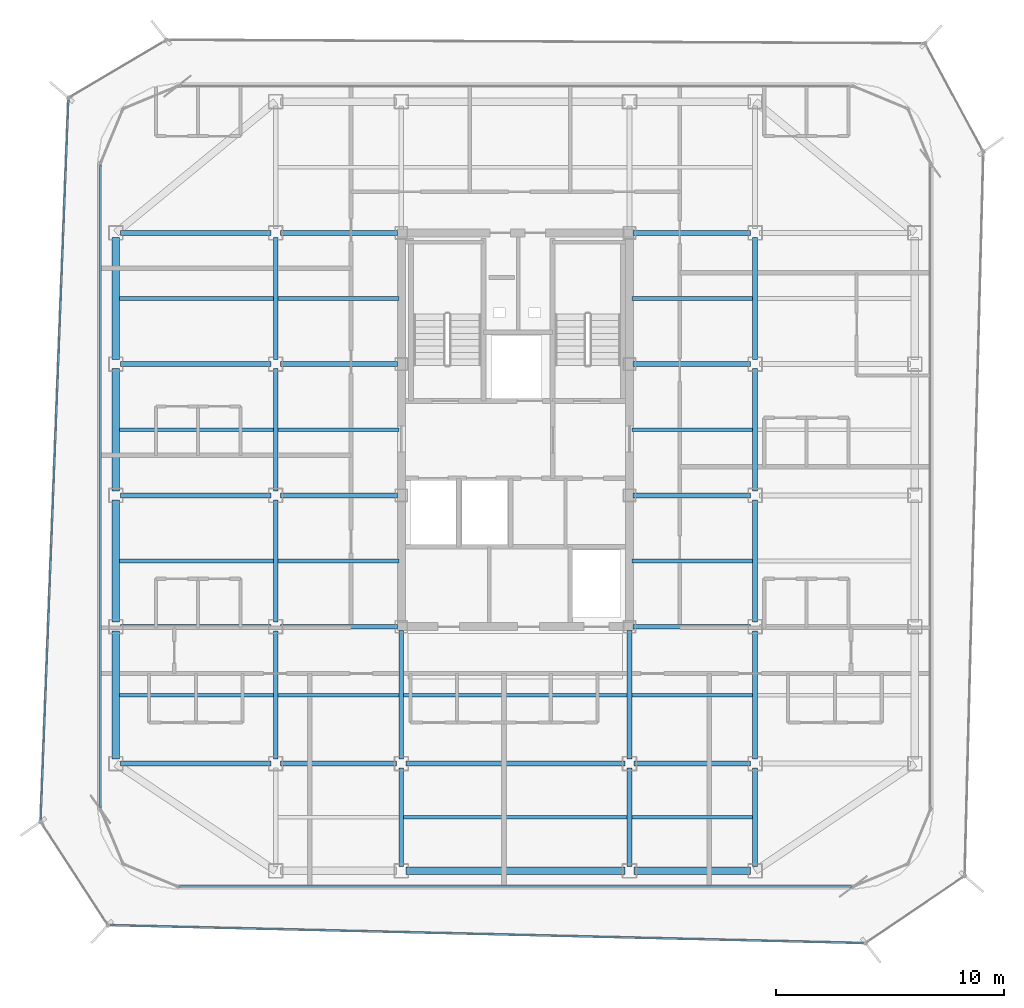
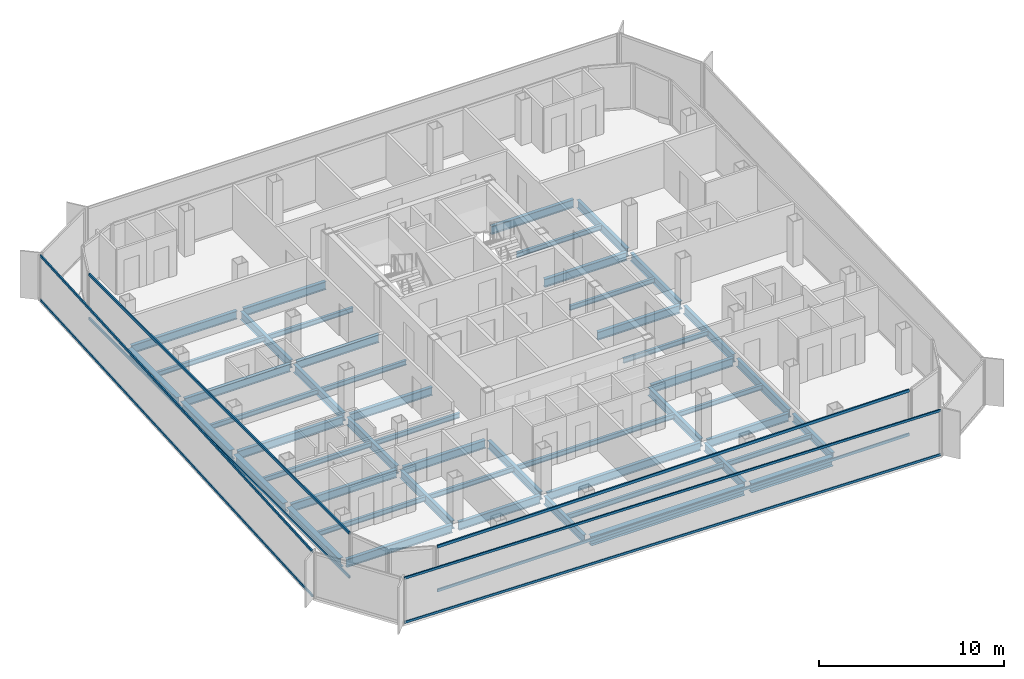
# One storey, part 3 of 16: 50 beams, 8 members, 4 elements without a shape of their own.
"""IFC4 building model written with IfcOpenShell, lengths in metres."""

from ifc_helpers import new_model, si_unit, direction, frame, origin, origin_2d, place, context, subcontext, project, spatial, hollow_rectangle, i_section, extrude, source, transform, mapped, material, layer, layer_set, material_profile, profile_set, type_object, element, aggregate, save


model = new_model("IFC4")

# Units and contexts
model_context = context("Model", 3, precision=1e-05, world=origin(), true_north=direction((0.0, 1.0)))
body_context = subcontext(model_context, "Body", "Model", "MODEL_VIEW")
ifc_project = project(units=[si_unit("LENGTHUNIT", "METRE"), si_unit("AREAUNIT", "SQUARE_METRE"), si_unit("VOLUMEUNIT", "CUBIC_METRE"), si_unit("PLANEANGLEUNIT", "RADIAN"), si_unit("MASSUNIT", "GRAM", prefix="KILO")], contexts=[model_context])

# Site, building, storey
site_placement = place(None, origin())
site = spatial("IfcSite", under=ifc_project, at=site_placement, CompositionType="ELEMENT")
building_placement = place(site_placement, origin())
building = spatial("IfcBuilding", under=site, at=building_placement, Name="Kolveth Station Tower", CompositionType="ELEMENT")
storey_placement = place(building_placement, frame((0.0, 0.0, 236.10009765625)))
storey = spatial("IfcBuildingStorey", under=building, at=storey_placement, Name="L67", CompositionType="ELEMENT", Elevation=236.10009765625)

# Beams
ifc_material_1 = material(Name="Steel S355", Category="steel")
ifc_material_profile_1 = material_profile(ifc_material_1, i_section(OverallWidth=0.323974609375, OverallDepth=0.611083984375, WebThickness=0.0126953125, FlangeThickness=0.01904296875, at=origin_2d()), Name="W610x155")
ifc_profile_set_1 = profile_set([ifc_material_profile_1], Name="Steel S355")
beam_type_1 = type_object("IfcBeamType", Name="Beam_SP2", PredefinedType="SPANDREL", material=ifc_profile_set_1)
shared_shape_1 = source(origin(), body_context, "Body", "SweptSolid", [
    extrude(i_section(OverallWidth=0.323974609375, OverallDepth=0.611083984375, WebThickness=0.0126953125, FlangeThickness=0.01904296875, at=origin_2d()), origin(), (0.0, 0.0, 1.0), 5.10009765625),
])
beam_1_placement = place(storey_placement, frame((28.699951171875, 0.800048828125, -0.525634765625), z_axis=(1.0, 0.0, 0.0), x_axis=(0.0, 1.0, 0.0)))
element("IfcBeam", 1, at=beam_1_placement, inside=storey, type_object=beam_type_1, Name="L67 Perimeter Spandrel BM-L67-PS-3", PredefinedType="SPANDREL", context=body_context, shape_type="MappedRepresentation", body=[
    mapped(shared_shape_1, transform((0.0, 0.0, 0.0), x_axis=(1.0, 0.0, 0.0), y_axis=(0.0, 1.0, 0.0), z_axis=(0.0, 0.0, 1.0), scale=1.0)),
])
shared_shape_2 = source(origin(), body_context, "Body", "SweptSolid", [
    extrude(i_section(OverallWidth=0.323974609375, OverallDepth=0.611083984375, WebThickness=0.0126953125, FlangeThickness=0.01904296875, at=origin_2d()), origin(), (0.0, 0.0, 1.0), 9.60009765625),
])
beam_2_placement = place(storey_placement, frame((18.699951171875, 0.800048828125, -0.525634765625), z_axis=(1.0, 0.0, 0.0), x_axis=(0.0, 1.0, 0.0)))
element("IfcBeam", 2, at=beam_2_placement, inside=storey, type_object=beam_type_1, Name="L67 Perimeter Spandrel BM-L67-PS-2", PredefinedType="SPANDREL", context=body_context, shape_type="MappedRepresentation", body=[
    mapped(shared_shape_2, transform((0.0, 0.0, 0.0), x_axis=(1.0, 0.0, 0.0), y_axis=(0.0, 1.0, 0.0), z_axis=(0.0, 0.0, 1.0), scale=1.0)),
])
shared_shape_3 = source(origin(), body_context, "Body", "SweptSolid", [
    extrude(i_section(OverallWidth=0.323974609375, OverallDepth=0.611083984375, WebThickness=0.0126953125, FlangeThickness=0.01904296875, at=origin_2d()), origin(), (0.0, 0.0, 1.0), 5.60009765625),
])
beam_3_placement = place(storey_placement, frame((6.0, 5.699951171875, -0.525634765625), z_axis=(0.0, 1.0, 0.0), x_axis=(-1.0, 0.0, 0.0)))
element("IfcBeam", 3, at=beam_3_placement, inside=storey, type_object=beam_type_1, Name="L67 Perimeter Spandrel BM-L67-PW-1", PredefinedType="SPANDREL", context=body_context, shape_type="MappedRepresentation", body=[
    mapped(shared_shape_3, transform((0.0, 0.0, 0.0), x_axis=(1.0, 0.0, 0.0), y_axis=(0.0, 1.0, 0.0), z_axis=(0.0, 0.0, 1.0), scale=1.0)),
])
shared_shape_4 = source(origin(), body_context, "Body", "SweptSolid", [
    extrude(i_section(OverallWidth=0.323974609375, OverallDepth=0.611083984375, WebThickness=0.0126953125, FlangeThickness=0.01904296875, at=origin_2d()), origin(), (0.0, 0.0, 1.0), 5.35009765625),
])
for number, where, z_axis, x_axis, name in (
    (4, (6.0, 11.699951171875, -0.525634765625), (0.0, 1.0, 0.0), (-1.0, 0.0, 0.0), "L67 Perimeter Spandrel BM-L67-PW-2"),
    (5, (6.0, 17.449951171875, -0.525634765625), (0.0, 1.0, 0.0), (-1.0, 0.0, 0.0), "L67 Perimeter Spandrel BM-L67-PW-3"),
    (6, (6.0, 23.199951171875, -0.525634765625), (0.0, 1.0, 0.0), (-1.0, 0.0, 0.0), "L67 Perimeter Spandrel BM-L67-PW-4"),
):
    element("IfcBeam", number, at=place(storey_placement, frame(where, z_axis=z_axis, x_axis=x_axis)), inside=storey, type_object=beam_type_1, Name=name, PredefinedType="SPANDREL", context=body_context, shape_type="MappedRepresentation", body=[
        mapped(shared_shape_4, transform((0.0, 0.0, 0.0), x_axis=(1.0, 0.0, 0.0), y_axis=(0.0, 1.0, 0.0), z_axis=(0.0, 0.0, 1.0), scale=1.0)),
    ])
ifc_material_profile_2 = material_profile(ifc_material_1, i_section(OverallWidth=0.2099609375, OverallDepth=0.537109375, WebThickness=0.010986328125, FlangeThickness=0.017333984375, at=origin_2d()), Name="W530x101")
ifc_profile_set_2 = profile_set([ifc_material_profile_2], Name="Steel S355")
beam_type_2 = type_object("IfcBeamType", Name="Beam_B6", PredefinedType="BEAM", material=ifc_profile_set_2)
shared_shape_5 = source(origin(), body_context, "Body", "SweptSolid", [
    extrude(i_section(OverallWidth=0.2099609375, OverallDepth=0.537109375, WebThickness=0.010986328125, FlangeThickness=0.017333984375, at=origin_2d()), origin(), (0.0, 0.0, 1.0), 6.60009765625),
])
for number, where, z_axis, x_axis, name in (
    (7, (6.199951171875, 5.5, -0.488525390625), (1.0, 0.0, 0.0), (0.0, 1.0, 0.0), "L67 Primary Girder BM-L67-GY55-1"),
    (8, (6.199951171875, 11.5, -0.488525390625), (1.0, 0.0, 0.0), (0.0, 1.0, 0.0), "L67 Primary Girder BM-L67-GY115-1"),
    (9, (6.199951171875, 17.25, -0.488525390625), (1.0, 0.0, 0.0), (0.0, 1.0, 0.0), "L67 Primary Girder BM-L67-GY172-1"),
    (10, (6.199951171875, 23.0, -0.488525390625), (1.0, 0.0, 0.0), (0.0, 1.0, 0.0), "L67 Primary Girder BM-L67-GY230-1"),
    (11, (6.199951171875, 28.75, -0.488525390625), (1.0, 0.0, 0.0), (0.0, 1.0, 0.0), "L67 Primary Girder BM-L67-GY287-1"),
):
    element("IfcBeam", number, at=place(storey_placement, frame(where, z_axis=z_axis, x_axis=x_axis)), inside=storey, type_object=beam_type_2, Name=name, PredefinedType="BEAM", context=body_context, shape_type="MappedRepresentation", body=[
        mapped(shared_shape_5, transform((0.0, 0.0, 0.0), x_axis=(1.0, 0.0, 0.0), y_axis=(0.0, 1.0, 0.0), z_axis=(0.0, 0.0, 1.0), scale=1.0)),
    ])
shared_shape_6 = source(origin(), body_context, "Body", "SweptSolid", [
    extrude(i_section(OverallWidth=0.2099609375, OverallDepth=0.537109375, WebThickness=0.010986328125, FlangeThickness=0.017333984375, at=origin_2d()), origin(), (0.0, 0.0, 1.0), 5.10009765625),
])
for number, where, z_axis, x_axis, name in (
    (12, (13.199951171875, 5.5, -0.488525390625), (1.0, 0.0, 0.0), (0.0, 1.0, 0.0), "L67 Primary Girder BM-L67-GY55-2"),
    (13, (28.699951171875, 5.5, -0.488525390625), (1.0, 0.0, 0.0), (0.0, 1.0, 0.0), "L67 Primary Girder BM-L67-GY55-4"),
):
    element("IfcBeam", number, at=place(storey_placement, frame(where, z_axis=z_axis, x_axis=x_axis)), inside=storey, type_object=beam_type_2, Name=name, PredefinedType="BEAM", context=body_context, shape_type="MappedRepresentation", body=[
        mapped(shared_shape_6, transform((0.0, 0.0, 0.0), x_axis=(1.0, 0.0, 0.0), y_axis=(0.0, 1.0, 0.0), z_axis=(0.0, 0.0, 1.0), scale=1.0)),
    ])
shared_shape_7 = source(origin(), body_context, "Body", "SweptSolid", [
    extrude(i_section(OverallWidth=0.2099609375, OverallDepth=0.537109375, WebThickness=0.010986328125, FlangeThickness=0.017333984375, at=origin_2d()), origin(), (0.0, 0.0, 1.0), 9.60009765625),
])
beam_4_placement = place(storey_placement, frame((18.699951171875, 5.5, -0.488525390625), z_axis=(1.0, 0.0, 0.0), x_axis=(0.0, 1.0, 0.0)))
element("IfcBeam", 14, at=beam_4_placement, inside=storey, type_object=beam_type_2, Name="L67 Primary Girder BM-L67-GY55-3", PredefinedType="BEAM", context=body_context, shape_type="MappedRepresentation", body=[
    mapped(shared_shape_7, transform((0.0, 0.0, 0.0), x_axis=(1.0, 0.0, 0.0), y_axis=(0.0, 1.0, 0.0), z_axis=(0.0, 0.0, 1.0), scale=1.0)),
])
shared_shape_8 = source(origin(), body_context, "Body", "SweptSolid", [
    extrude(i_section(OverallWidth=0.2099609375, OverallDepth=0.537109375, WebThickness=0.010986328125, FlangeThickness=0.017333984375, at=origin_2d()), origin(), (0.0, 0.0, 1.0), 5.14013671875),
])
for number, where, z_axis, x_axis, name in (
    (15, (13.199951171875, 11.5, -0.488525390625), (1.0, 0.0, 0.0), (0.0, 1.0, 0.0), "L67 Primary Girder BM-L67-GY115-2"),
    (16, (28.659912109375, 11.5, -0.488525390625), (1.0, 0.0, 0.0), (0.0, 1.0, 0.0), "L67 Primary Girder BM-L67-GY115-4"),
    (17, (13.199951171875, 17.25, -0.488525390625), (1.0, 0.0, 0.0), (0.0, 1.0, 0.0), "L67 Primary Girder BM-L67-GY172-2"),
    (18, (28.659912109375, 17.25, -0.488525390625), (1.0, 0.0, 0.0), (0.0, 1.0, 0.0), "L67 Primary Girder BM-L67-GY172-4"),
    (19, (13.199951171875, 23.0, -0.488525390625), (1.0, 0.0, 0.0), (0.0, 1.0, 0.0), "L67 Primary Girder BM-L67-GY230-2"),
    (20, (28.659912109375, 23.0, -0.488525390625), (1.0, 0.0, 0.0), (0.0, 1.0, 0.0), "L67 Primary Girder BM-L67-GY230-4"),
    (21, (13.199951171875, 28.75, -0.488525390625), (1.0, 0.0, 0.0), (0.0, 1.0, 0.0), "L67 Primary Girder BM-L67-GY287-2"),
    (22, (28.659912109375, 28.75, -0.488525390625), (1.0, 0.0, 0.0), (0.0, 1.0, 0.0), "L67 Primary Girder BM-L67-GY287-4"),
):
    element("IfcBeam", number, at=place(storey_placement, frame(where, z_axis=z_axis, x_axis=x_axis)), inside=storey, type_object=beam_type_2, Name=name, PredefinedType="BEAM", context=body_context, shape_type="MappedRepresentation", body=[
        mapped(shared_shape_8, transform((0.0, 0.0, 0.0), x_axis=(1.0, 0.0, 0.0), y_axis=(0.0, 1.0, 0.0), z_axis=(0.0, 0.0, 1.0), scale=1.0)),
    ])
shared_shape_9 = source(origin(), body_context, "Body", "SweptSolid", [
    extrude(i_section(OverallWidth=0.2099609375, OverallDepth=0.537109375, WebThickness=0.010986328125, FlangeThickness=0.017333984375, at=origin_2d()), origin(), (0.0, 0.0, 1.0), 4.300048828125),
])
for number, where, z_axis, x_axis, name in (
    (23, (18.5, 1.0, -0.488525390625), (0.0, 1.0, 0.0), (-1.0, 0.0, 0.0), "L67 Primary Girder BM-L67-GX185-1"),
    (24, (28.5, 1.0, -0.488525390625), (0.0, 1.0, 0.0), (-1.0, 0.0, 0.0), "L67 Primary Girder BM-L67-GX285-1"),
    (25, (34.0, 1.0, -0.488525390625), (0.0, 1.0, 0.0), (-1.0, 0.0, 0.0), "L67 Primary Girder BM-L67-GX340-1"),
):
    element("IfcBeam", number, at=place(storey_placement, frame(where, z_axis=z_axis, x_axis=x_axis)), inside=storey, type_object=beam_type_2, Name=name, PredefinedType="BEAM", context=body_context, shape_type="MappedRepresentation", body=[
        mapped(shared_shape_9, transform((0.0, 0.0, 0.0), x_axis=(1.0, 0.0, 0.0), y_axis=(0.0, 1.0, 0.0), z_axis=(0.0, 0.0, 1.0), scale=1.0)),
    ])
shared_shape_10 = source(origin(), body_context, "Body", "SweptSolid", [
    extrude(i_section(OverallWidth=0.2099609375, OverallDepth=0.537109375, WebThickness=0.010986328125, FlangeThickness=0.017333984375, at=origin_2d()), origin(), (0.0, 0.0, 1.0), 5.60009765625),
])
for number, where, z_axis, x_axis, name in (
    (26, (13.0, 5.699951171875, -0.488525390625), (0.0, 1.0, 0.0), (-1.0, 0.0, 0.0), "L67 Primary Girder BM-L67-GX130-2"),
    (27, (34.0, 5.699951171875, -0.488525390625), (0.0, 1.0, 0.0), (-1.0, 0.0, 0.0), "L67 Primary Girder BM-L67-GX340-2"),
):
    element("IfcBeam", number, at=place(storey_placement, frame(where, z_axis=z_axis, x_axis=x_axis)), inside=storey, type_object=beam_type_2, Name=name, PredefinedType="BEAM", context=body_context, shape_type="MappedRepresentation", body=[
        mapped(shared_shape_10, transform((0.0, 0.0, 0.0), x_axis=(1.0, 0.0, 0.0), y_axis=(0.0, 1.0, 0.0), z_axis=(0.0, 0.0, 1.0), scale=1.0)),
    ])
shared_shape_11 = source(origin(), body_context, "Body", "SweptSolid", [
    extrude(i_section(OverallWidth=0.2099609375, OverallDepth=0.537109375, WebThickness=0.010986328125, FlangeThickness=0.017333984375, at=origin_2d()), origin(), (0.0, 0.0, 1.0), 5.35009765625),
])
for number, where, z_axis, x_axis, name in (
    (28, (13.0, 11.699951171875, -0.488525390625), (0.0, 1.0, 0.0), (-1.0, 0.0, 0.0), "L67 Primary Girder BM-L67-GX130-3"),
    (29, (13.0, 17.449951171875, -0.488525390625), (0.0, 1.0, 0.0), (-1.0, 0.0, 0.0), "L67 Primary Girder BM-L67-GX130-4"),
    (30, (13.0, 23.199951171875, -0.488525390625), (0.0, 1.0, 0.0), (-1.0, 0.0, 0.0), "L67 Primary Girder BM-L67-GX130-5"),
    (31, (34.0, 11.699951171875, -0.488525390625), (0.0, 1.0, 0.0), (-1.0, 0.0, 0.0), "L67 Primary Girder BM-L67-GX340-3"),
    (32, (34.0, 17.449951171875, -0.488525390625), (0.0, 1.0, 0.0), (-1.0, 0.0, 0.0), "L67 Primary Girder BM-L67-GX340-4"),
    (33, (34.0, 23.199951171875, -0.488525390625), (0.0, 1.0, 0.0), (-1.0, 0.0, 0.0), "L67 Primary Girder BM-L67-GX340-5"),
):
    element("IfcBeam", number, at=place(storey_placement, frame(where, z_axis=z_axis, x_axis=x_axis)), inside=storey, type_object=beam_type_2, Name=name, PredefinedType="BEAM", context=body_context, shape_type="MappedRepresentation", body=[
        mapped(shared_shape_11, transform((0.0, 0.0, 0.0), x_axis=(1.0, 0.0, 0.0), y_axis=(0.0, 1.0, 0.0), z_axis=(0.0, 0.0, 1.0), scale=1.0)),
    ])
shared_shape_12 = source(origin(), body_context, "Body", "SweptSolid", [
    extrude(i_section(OverallWidth=0.2099609375, OverallDepth=0.537109375, WebThickness=0.010986328125, FlangeThickness=0.017333984375, at=origin_2d()), origin(), (0.0, 0.0, 1.0), 5.64013671875),
])
for number, where, z_axis, x_axis, name in (
    (34, (18.5, 5.699951171875, -0.488525390625), (0.0, 1.0, 0.0), (-1.0, 0.0, 0.0), "L67 Primary Girder BM-L67-GX185-2"),
    (35, (28.5, 5.699951171875, -0.488525390625), (0.0, 1.0, 0.0), (-1.0, 0.0, 0.0), "L67 Primary Girder BM-L67-GX285-2"),
):
    element("IfcBeam", number, at=place(storey_placement, frame(where, z_axis=z_axis, x_axis=x_axis)), inside=storey, type_object=beam_type_2, Name=name, PredefinedType="BEAM", context=body_context, shape_type="MappedRepresentation", body=[
        mapped(shared_shape_12, transform((0.0, 0.0, 0.0), x_axis=(1.0, 0.0, 0.0), y_axis=(0.0, 1.0, 0.0), z_axis=(0.0, 0.0, 1.0), scale=1.0)),
    ])
ifc_material_profile_3 = material_profile(ifc_material_1, i_section(OverallWidth=0.1650390625, OverallDepth=0.31005859375, WebThickness=0.005859375, FlangeThickness=0.009765625, at=origin_2d()), Name="W310x39")
ifc_profile_set_3 = profile_set([ifc_material_profile_3], Name="Steel S355")
beam_type_3 = type_object("IfcBeamType", Name="Beam_J3", PredefinedType="JOIST", material=ifc_profile_set_3)
shared_shape_13 = source(origin(), body_context, "Body", "SweptSolid", [
    extrude(i_section(OverallWidth=0.1650390625, OverallDepth=0.31005859375, WebThickness=0.005859375, FlangeThickness=0.009765625, at=origin_2d()), origin(), (0.0, 0.0, 1.0), 6.737060546875),
])
for number, where, z_axis, x_axis, name in (
    (36, (6.159912109375, 8.5, -0.375), (1.0, 0.0, 0.0), (0.0, 1.0, 0.0), "L67 Secondary Joist JST-L67-1-2"),
    (37, (6.159912109375, 14.375, -0.375), (1.0, 0.0, 0.0), (0.0, 1.0, 0.0), "L67 Secondary Joist JST-L67-1-3"),
    (38, (6.159912109375, 20.125, -0.375), (1.0, 0.0, 0.0), (0.0, 1.0, 0.0), "L67 Secondary Joist JST-L67-1-4"),
    (39, (6.159912109375, 25.875, -0.375), (1.0, 0.0, 0.0), (0.0, 1.0, 0.0), "L67 Secondary Joist JST-L67-1-5"),
):
    element("IfcBeam", number, at=place(storey_placement, frame(where, z_axis=z_axis, x_axis=x_axis)), inside=storey, type_object=beam_type_3, Name=name, PredefinedType="JOIST", context=body_context, shape_type="MappedRepresentation", body=[
        mapped(shared_shape_13, transform((0.0, 0.0, 0.0), x_axis=(1.0, 0.0, 0.0), y_axis=(0.0, 1.0, 0.0), z_axis=(0.0, 0.0, 1.0), scale=1.0)),
    ])
shared_shape_14 = source(origin(), body_context, "Body", "SweptSolid", [
    extrude(i_section(OverallWidth=0.1650390625, OverallDepth=0.31005859375, WebThickness=0.005859375, FlangeThickness=0.009765625, at=origin_2d()), origin(), (0.0, 0.0, 1.0), 5.2939453125),
])
for number, where, z_axis, x_axis, name in (
    (40, (13.10302734375, 8.5, -0.375), (1.0, 0.0, 0.0), (0.0, 1.0, 0.0), "L67 Secondary Joist JST-L67-2-2"),
    (41, (13.10302734375, 14.375, -0.375), (1.0, 0.0, 0.0), (0.0, 1.0, 0.0), "L67 Secondary Joist JST-L67-2-3"),
    (42, (13.10302734375, 20.125, -0.375), (1.0, 0.0, 0.0), (0.0, 1.0, 0.0), "L67 Secondary Joist JST-L67-2-4"),
    (43, (13.10302734375, 25.875, -0.375), (1.0, 0.0, 0.0), (0.0, 1.0, 0.0), "L67 Secondary Joist JST-L67-2-5"),
    (44, (28.60302734375, 3.14990234375, -0.375), (1.0, 0.0, 0.0), (0.0, 1.0, 0.0), "L67 Secondary Joist JST-L67-4-1"),
    (45, (28.60302734375, 8.5, -0.375), (1.0, 0.0, 0.0), (0.0, 1.0, 0.0), "L67 Secondary Joist JST-L67-4-2"),
    (46, (28.60302734375, 14.375, -0.375), (1.0, 0.0, 0.0), (0.0, 1.0, 0.0), "L67 Secondary Joist JST-L67-4-3"),
    (47, (28.60302734375, 20.125, -0.375), (1.0, 0.0, 0.0), (0.0, 1.0, 0.0), "L67 Secondary Joist JST-L67-4-4"),
    (48, (28.60302734375, 25.875, -0.375), (1.0, 0.0, 0.0), (0.0, 1.0, 0.0), "L67 Secondary Joist JST-L67-4-5"),
):
    element("IfcBeam", number, at=place(storey_placement, frame(where, z_axis=z_axis, x_axis=x_axis)), inside=storey, type_object=beam_type_3, Name=name, PredefinedType="JOIST", context=body_context, shape_type="MappedRepresentation", body=[
        mapped(shared_shape_14, transform((0.0, 0.0, 0.0), x_axis=(1.0, 0.0, 0.0), y_axis=(0.0, 1.0, 0.0), z_axis=(0.0, 0.0, 1.0), scale=1.0)),
    ])
shared_shape_15 = source(origin(), body_context, "Body", "SweptSolid", [
    extrude(i_section(OverallWidth=0.1650390625, OverallDepth=0.31005859375, WebThickness=0.005859375, FlangeThickness=0.009765625, at=origin_2d()), origin(), (0.0, 0.0, 1.0), 9.7939453125),
])
for number, where, z_axis, x_axis, name in (
    (49, (18.60302734375, 3.14990234375, -0.375), (1.0, 0.0, 0.0), (0.0, 1.0, 0.0), "L67 Secondary Joist JST-L67-3-1"),
    (50, (18.60302734375, 8.5, -0.375), (1.0, 0.0, 0.0), (0.0, 1.0, 0.0), "L67 Secondary Joist JST-L67-3-2"),
):
    element("IfcBeam", number, at=place(storey_placement, frame(where, z_axis=z_axis, x_axis=x_axis)), inside=storey, type_object=beam_type_3, Name=name, PredefinedType="JOIST", context=body_context, shape_type="MappedRepresentation", body=[
        mapped(shared_shape_15, transform((0.0, 0.0, 0.0), x_axis=(1.0, 0.0, 0.0), y_axis=(0.0, 1.0, 0.0), z_axis=(0.0, 0.0, 1.0), scale=1.0)),
    ])

# Curtain wall, members
ifc_material_2 = material(Name="Aluminium 6063-T6 and triple low-E dark glass", Category="aluminium")
ifc_layer_1 = layer(ifc_material_2, 0.199951171875)
ifc_layer_set_1 = layer_set([ifc_layer_1], Name="Aluminium 6063-T6 and triple low-E dark glass")
curtain_wall_type_1 = type_object("IfcCurtainWallType", Name="CurtainWall_CW-Z3", PredefinedType="NOTDEFINED", material=ifc_layer_set_1)
curtain_wall_1_placement = place(storey_placement, origin())
curtain_wall_1 = element("IfcCurtainWall", 51, at=curtain_wall_1_placement, inside=storey, type_object=curtain_wall_type_1, Name="L67 Inner Thermal Curtain Wall 9", PredefinedType="NOTDEFINED")
ifc_material_3 = material(Name="Black anodized aluminium 6063-T6", Category="aluminium")
ifc_material_profile_4 = material_profile(ifc_material_3, hollow_rectangle(XDim=0.0849609375, YDim=0.179931640625, WallThickness=0.0048828125, at=origin_2d()), Name="ALU-85x180x5")
ifc_profile_set_4 = profile_set([ifc_material_profile_4], Name="Black anodized aluminium 6063-T6")
member_type_1 = type_object("IfcMemberType", Name="Transom_TR3", PredefinedType="USERDEFINED", material=ifc_profile_set_4)
shared_shape_16 = source(origin(), body_context, "Body", "SweptSolid", [
    extrude(hollow_rectangle(XDim=0.0849609375, YDim=0.179931640625, WallThickness=0.0048828125, at=origin_2d()), origin(), (0.0, 0.0, 1.0), 28.130126953125),
])
member_1_placement = place(storey_placement, frame((5.320068359375, 31.715087890625, 0.04248046875), z_axis=(0.0, -1.0, 0.0), x_axis=(1.0, 0.0, 0.0)))
member_1 = element("IfcMember", 52, at=member_1_placement, type_object=member_type_1, Name="CW-Z3 transom 1.1", ObjectType="TRANSOM", PredefinedType="USERDEFINED", context=body_context, shape_type="MappedRepresentation", body=[
    mapped(shared_shape_16, transform((0.0, 0.0, 0.0), x_axis=(1.0, 0.0, 0.0), y_axis=(0.0, 1.0, 0.0), z_axis=(0.0, 0.0, 1.0), scale=1.0)),
])
member_2_placement = place(storey_placement, frame((5.320068359375, 31.715087890625, 2.9375), z_axis=(0.0, -1.0, 0.0), x_axis=(1.0, 0.0, 0.0)))
member_2 = element("IfcMember", 53, at=member_2_placement, type_object=member_type_1, Name="CW-Z3 transom 1.2", ObjectType="TRANSOM", PredefinedType="USERDEFINED", context=body_context, shape_type="MappedRepresentation", body=[
    mapped(shared_shape_16, transform((0.0, 0.0, 0.0), x_axis=(1.0, 0.0, 0.0), y_axis=(0.0, 1.0, 0.0), z_axis=(0.0, 0.0, 1.0), scale=1.0)),
])
aggregate(curtain_wall_1, [member_1, member_2])

curtain_wall_2_placement = place(storey_placement, origin())
curtain_wall_2 = element("IfcCurtainWall", 54, at=curtain_wall_2_placement, inside=storey, type_object=curtain_wall_type_1, Name="L67 Inner Thermal Curtain Wall 12", PredefinedType="NOTDEFINED")
shared_shape_17 = source(origin(), body_context, "Body", "SweptSolid", [
    extrude(hollow_rectangle(XDim=0.0849609375, YDim=0.179931640625, WallThickness=0.0048828125, at=origin_2d()), origin(), (0.0, 0.0, 1.0), 29.43017578125),
])
member_3_placement = place(storey_placement, frame((8.784912109375, 0.1201171875, 0.04248046875), z_axis=(1.0, 0.0, 0.0), x_axis=(0.0, 1.0, 0.0)))
member_3 = element("IfcMember", 55, at=member_3_placement, type_object=member_type_1, Name="CW-Z3 transom 1.1", ObjectType="TRANSOM", PredefinedType="USERDEFINED", context=body_context, shape_type="MappedRepresentation", body=[
    mapped(shared_shape_17, transform((0.0, 0.0, 0.0), x_axis=(1.0, 0.0, 0.0), y_axis=(0.0, 1.0, 0.0), z_axis=(0.0, 0.0, 1.0), scale=1.0)),
])
member_4_placement = place(storey_placement, frame((8.784912109375, 0.1201171875, 2.9375), z_axis=(1.0, 0.0, 0.0), x_axis=(0.0, 1.0, 0.0)))
member_4 = element("IfcMember", 56, at=member_4_placement, type_object=member_type_1, Name="CW-Z3 transom 1.2", ObjectType="TRANSOM", PredefinedType="USERDEFINED", context=body_context, shape_type="MappedRepresentation", body=[
    mapped(shared_shape_17, transform((0.0, 0.0, 0.0), x_axis=(1.0, 0.0, 0.0), y_axis=(0.0, 1.0, 0.0), z_axis=(0.0, 0.0, 1.0), scale=1.0)),
])
aggregate(curtain_wall_2, [member_3, member_4])

ifc_material_4 = material(Name="Black anodized aluminium 6063-T6 and dark solar glass", Category="aluminium")
ifc_layer_2 = layer(ifc_material_4, 0.159912109375)
ifc_layer_set_2 = layer_set([ifc_layer_2], Name="Black anodized aluminium 6063-T6 and dark solar glass")
curtain_wall_type_2 = type_object("IfcCurtainWallType", Name="OUTER SKIN CW-OS", PredefinedType="NOTDEFINED", material=ifc_layer_set_2)
curtain_wall_3_placement = place(storey_placement, origin())
curtain_wall_3 = element("IfcCurtainWall", 57, at=curtain_wall_3_placement, inside=storey, type_object=curtain_wall_type_2, Name="L67 Outer Ventilated Skin Curtain Wall 6", PredefinedType="NOTDEFINED")
ifc_material_profile_5 = material_profile(ifc_material_3, hollow_rectangle(XDim=0.080078125, YDim=0.14990234375, WallThickness=0.0048828125, at=origin_2d()), Name="ALU-80x150x5")
ifc_profile_set_5 = profile_set([ifc_material_profile_5], Name="Black anodized aluminium 6063-T6")
member_type_2 = type_object("IfcMemberType", Name="Transom_TR-OS", PredefinedType="USERDEFINED", material=ifc_profile_set_5)
shared_shape_18 = source(origin(), body_context, "Body", "SweptSolid", [
    extrude(hollow_rectangle(XDim=0.080078125, YDim=0.14990234375, WallThickness=0.0048828125, at=origin_2d()), origin(), (0.0, 0.0, 1.0), 31.540283203125),
])
member_5_placement = place(storey_placement, frame((3.919677734375, 34.56689453125, 0.039794921875), z_axis=(-0.03847860533, -0.99925942424, 0.0), x_axis=(0.99925942424, -0.03847860533, 0.0)))
member_5 = element("IfcMember", 58, at=member_5_placement, type_object=member_type_2, Name="CW-OS transom 1.1", ObjectType="TRANSOM", PredefinedType="USERDEFINED", context=body_context, shape_type="MappedRepresentation", body=[
    mapped(shared_shape_18, transform((0.0, 0.0, 0.0), x_axis=(1.0, 0.0, 0.0), y_axis=(0.0, 1.0, 0.0), z_axis=(0.0, 0.0, 1.0), scale=1.0)),
])
member_6_placement = place(storey_placement, frame((3.919677734375, 34.56689453125, 2.949951171875), z_axis=(-0.03847860533, -0.99925942424, 0.0), x_axis=(0.99925942424, -0.03847860533, 0.0)))
member_6 = element("IfcMember", 59, at=member_6_placement, type_object=member_type_2, Name="CW-OS transom 1.2", ObjectType="TRANSOM", PredefinedType="USERDEFINED", context=body_context, shape_type="MappedRepresentation", body=[
    mapped(shared_shape_18, transform((0.0, 0.0, 0.0), x_axis=(1.0, 0.0, 0.0), y_axis=(0.0, 1.0, 0.0), z_axis=(0.0, 0.0, 1.0), scale=1.0)),
])
aggregate(curtain_wall_3, [member_5, member_6])

curtain_wall_4_placement = place(storey_placement, origin())
curtain_wall_4 = element("IfcCurtainWall", 60, at=curtain_wall_4_placement, inside=storey, type_object=curtain_wall_type_2, Name="L67 Outer Ventilated Skin Curtain Wall 8", PredefinedType="NOTDEFINED")
shared_shape_19 = source(origin(), body_context, "Body", "SweptSolid", [
    extrude(hollow_rectangle(XDim=0.080078125, YDim=0.14990234375, WallThickness=0.0048828125, at=origin_2d()), origin(), (0.0, 0.0, 1.0), 33.013671875),
])
member_7_placement = place(storey_placement, frame((5.74365234375, -1.578125, 0.039794921875), z_axis=(0.999717854057, -0.023753153043, 0.0), x_axis=(0.023753153043, 0.999717854057, 0.0)))
member_7 = element("IfcMember", 61, at=member_7_placement, type_object=member_type_2, Name="CW-OS transom 1.1", ObjectType="TRANSOM", PredefinedType="USERDEFINED", context=body_context, shape_type="MappedRepresentation", body=[
    mapped(shared_shape_19, transform((0.0, 0.0, 0.0), x_axis=(1.0, 0.0, 0.0), y_axis=(0.0, 1.0, 0.0), z_axis=(0.0, 0.0, 1.0), scale=1.0)),
])
member_8_placement = place(storey_placement, frame((5.74365234375, -1.578125, 2.949951171875), z_axis=(0.999717854057, -0.023753153043, 0.0), x_axis=(0.023753153043, 0.999717854057, 0.0)))
member_8 = element("IfcMember", 62, at=member_8_placement, type_object=member_type_2, Name="CW-OS transom 1.2", ObjectType="TRANSOM", PredefinedType="USERDEFINED", context=body_context, shape_type="MappedRepresentation", body=[
    mapped(shared_shape_19, transform((0.0, 0.0, 0.0), x_axis=(1.0, 0.0, 0.0), y_axis=(0.0, 1.0, 0.0), z_axis=(0.0, 0.0, 1.0), scale=1.0)),
])
aggregate(curtain_wall_4, [member_7, member_8])

save(model, "model.ifc")
